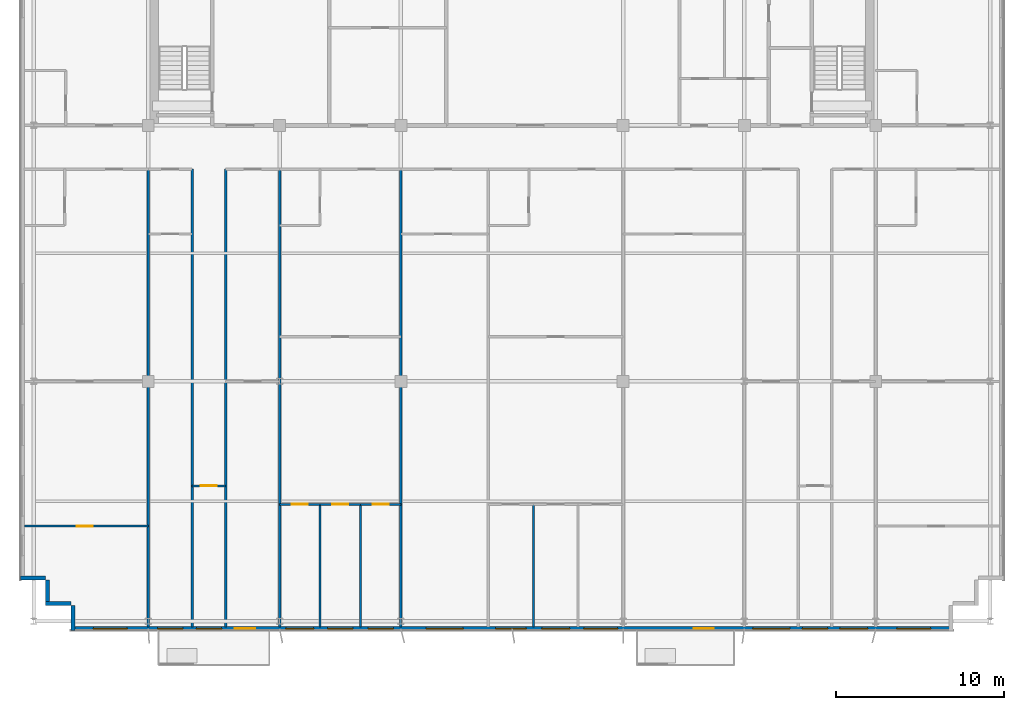
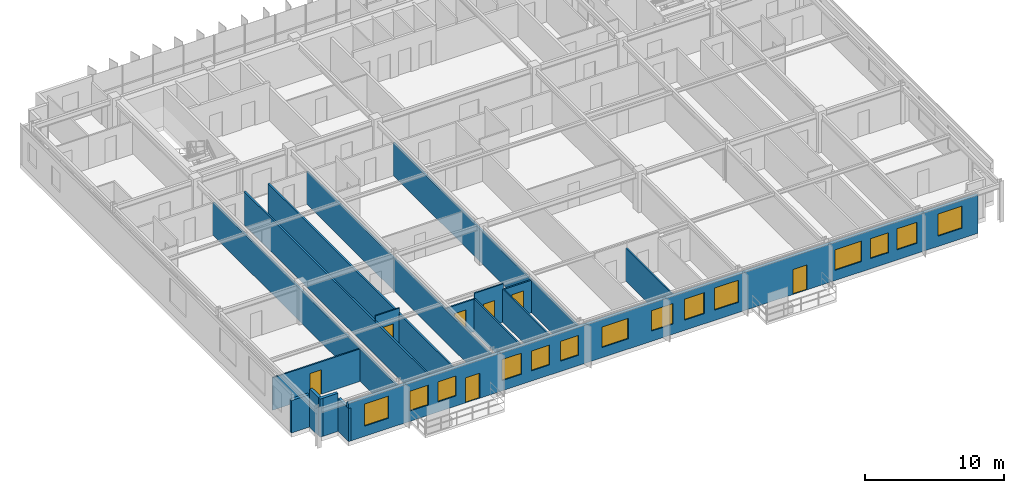
# One storey, part 16 of 23: 18 walls, 14 windows, 7 doors, 21 openings.
"""IFC4 building model written with IfcOpenShell, lengths in metres."""

from ifc_helpers import new_model, si_unit, direction, frame, frame_2d, origin, place, context, subcontext, project, spatial, rectangle, extrude, source, transform, mapped, material, layer, layer_set, type_object, element, fill, save


model = new_model("IFC4")

# Units and contexts
model_context = context("Model", 3, precision=1e-05, world=origin(), true_north=direction((0.0, 1.0)))
body_context = subcontext(model_context, "Body", "Model", "MODEL_VIEW")
ifc_project = project(units=[si_unit("LENGTHUNIT", "METRE"), si_unit("AREAUNIT", "SQUARE_METRE"), si_unit("VOLUMEUNIT", "CUBIC_METRE"), si_unit("PLANEANGLEUNIT", "RADIAN"), si_unit("MASSUNIT", "GRAM", prefix="KILO")], contexts=[model_context])

# Site, building, storey
site_placement = place(None, origin())
site = spatial("IfcSite", under=ifc_project, at=site_placement, CompositionType="ELEMENT")
building_placement = place(site_placement, origin())
building = spatial("IfcBuilding", under=site, at=building_placement, Name="Trelvane Seafront Commons", CompositionType="ELEMENT")
storey_placement = place(building_placement, frame((0.0, 0.0, 204.89990234375)))
storey = spatial("IfcBuildingStorey", under=building, at=storey_placement, Name="L53", CompositionType="ELEMENT", Elevation=204.89990234375)

# Walls
ifc_material_1 = material(Name="Precast concrete C40/50", Category="concrete")
ifc_layer_1 = layer(ifc_material_1, 0.239990234375, Name="ARCH-WALL-EXT240")
ifc_layer_set_1 = layer_set([ifc_layer_1], Name="Precast concrete C40/50")
wall_type_1 = type_object("IfcWallType", Name="ARCH-WALL-EXT240", PredefinedType="SOLIDWALL", material=ifc_layer_set_1)
for number, where, z_axis, x_axis, name in (
    (1, (11.0, 5.02001953125, 0.0), (0.0, 0.0, 1.0), (-1.0, 0.0, 0.0), "EW-L53-01059"),
    (2, (9.6201171875, 4.89990234375, 0.0), (0.0, 0.0, 1.0), (0.0, 1.0, 0.0), "EW-L53-01060"),
):
    element("IfcWall", number, at=place(storey_placement, frame(where, z_axis=z_axis, x_axis=x_axis)), inside=storey, type_object=wall_type_1, Name=name, PredefinedType="SOLIDWALL", context=body_context, shape_type="SweptSolid", body=[
        extrude(rectangle(XDim=1.5, YDim=0.239990234375, at=frame_2d((0.75, 0.0))), origin(), (0.0, 0.0, 1.0), 3.360107421875),
    ])
wall_1_placement = place(storey_placement, frame((9.5, 6.52001953125, 0.0), z_axis=(0.0, 0.0, 1.0), x_axis=(-1.0, 0.0, 0.0)))
element("IfcWall", 3, at=wall_1_placement, inside=storey, type_object=wall_type_1, Name="EW-L53-01061", PredefinedType="SOLIDWALL", context=body_context, shape_type="SweptSolid", body=[
    extrude(rectangle(XDim=1.5, YDim=0.239990234375, at=frame_2d((0.75, 0.0))), origin(), (0.0, 0.0, 1.0), 2.860107421875),
])

# Wall, openings, doors, windows
wall_2_placement = place(storey_placement, frame((63.39990234375, 3.52001953125, 0.0), z_axis=(0.0, 0.0, 1.0), x_axis=(-1.0, 0.0, 0.0)))
wall_2 = element("IfcWall", 4, at=wall_2_placement, inside=storey, type_object=wall_type_1, Name="EW-L53-01076", PredefinedType="SOLIDWALL", context=body_context, shape_type="SweptSolid", body=[
    extrude(rectangle(XDim=52.39990234375, YDim=0.239990234375, at=frame_2d((26.199951171875, 0.0))), origin(), (0.0, 0.0, 1.0), 3.360107421875),
])
opening_1_placement = place(wall_2_placement, frame((1.344970703125, 0.0, 0.89990234375)))
opening_1 = element("IfcOpeningElement", 5, at=opening_1_placement, cuts=wall_2, Name="Opening W06", PredefinedType="OPENING", context=body_context, shape_type="SweptSolid", body=[
    extrude(rectangle(XDim=2.0, YDim=1.949951171875, at=frame_2d((1.0, 0.97509765625))), frame((0.0, 0.1298828125, 0.0), z_axis=(0.0, -1.0, 0.0), x_axis=(1.0, 0.0, 0.0)), (0.0, 0.0, 1.0), 0.260009765625),
])
opening_2_placement = place(wall_2_placement, frame((5.074951171875, 0.0, 0.89990234375)))
opening_2 = element("IfcOpeningElement", 6, at=opening_2_placement, cuts=wall_2, Name="Opening W07", PredefinedType="OPENING", context=body_context, shape_type="SweptSolid", body=[
    extrude(rectangle(XDim=1.64990234375, YDim=1.85009765625, at=frame_2d((0.824951171875, 0.925048828125))), frame((0.0, 0.1298828125, 0.0), z_axis=(0.0, -1.0, 0.0), x_axis=(1.0, 0.0, 0.0)), (0.0, 0.0, 1.0), 0.260009765625),
])
opening_3_placement = place(wall_2_placement, frame((7.449951171875, 0.0, 0.89990234375)))
opening_3 = element("IfcOpeningElement", 7, at=opening_3_placement, cuts=wall_2, Name="Opening W03", PredefinedType="OPENING", context=body_context, shape_type="SweptSolid", body=[
    extrude(rectangle(XDim=1.5, YDim=1.75, at=frame_2d((0.75, 0.875))), frame((0.0, 0.1298828125, 0.0), z_axis=(0.0, -1.0, 0.0), x_axis=(1.0, 0.0, 0.0)), (0.0, 0.0, 1.0), 0.260009765625),
])
opening_4_placement = place(wall_2_placement, frame((9.699951171875, 0.0, 0.89990234375)))
opening_4 = element("IfcOpeningElement", 8, at=opening_4_placement, cuts=wall_2, Name="Opening W02", PredefinedType="OPENING", context=body_context, shape_type="SweptSolid", body=[
    extrude(rectangle(XDim=2.199951171875, YDim=1.800048828125, at=frame_2d((1.10009765625, 0.89990234375))), frame((0.0, 0.1298828125, 0.0), z_axis=(0.0, -1.0, 0.0), x_axis=(1.0, 0.0, 0.0)), (0.0, 0.0, 1.0), 0.260009765625),
])
opening_5_placement = place(wall_2_placement, frame((14.217041015625, 0.0, 0.0)))
opening_5 = element("IfcOpeningElement", 9, at=opening_5_placement, cuts=wall_2, Name="Opening BD-L53-114", PredefinedType="OPENING", context=body_context, shape_type="SweptSolid", body=[
    extrude(rectangle(XDim=1.199951171875, YDim=2.199951171875, at=frame_2d((0.60009765625, 1.10009765625))), frame((0.0, 0.1298828125, 0.0), z_axis=(0.0, -1.0, 0.0), x_axis=(1.0, 0.0, 0.0)), (0.0, 0.0, 1.0), 0.260009765625),
])
opening_6_placement = place(wall_2_placement, frame((19.93408203125, 0.0, 0.89990234375)))
opening_6 = element("IfcOpeningElement", 10, at=opening_6_placement, cuts=wall_2, Name="Opening W06", PredefinedType="OPENING", context=body_context, shape_type="SweptSolid", body=[
    extrude(rectangle(XDim=2.0, YDim=1.949951171875, at=frame_2d((1.0, 0.97509765625))), frame((0.0, 0.1298828125, 0.0), z_axis=(0.0, -1.0, 0.0), x_axis=(1.0, 0.0, 0.0)), (0.0, 0.0, 1.0), 0.260009765625),
])
opening_7_placement = place(wall_2_placement, frame((22.77490234375, 0.0, 0.89990234375)))
opening_7 = element("IfcOpeningElement", 11, at=opening_7_placement, cuts=wall_2, Name="Opening W07", PredefinedType="OPENING", context=body_context, shape_type="SweptSolid", body=[
    extrude(rectangle(XDim=1.64990234375, YDim=1.85009765625, at=frame_2d((0.824951171875, 0.925048828125))), frame((0.0, 0.1298828125, 0.0), z_axis=(0.0, -1.0, 0.0), x_axis=(1.0, 0.0, 0.0)), (0.0, 0.0, 1.0), 0.260009765625),
])
opening_8_placement = place(wall_2_placement, frame((25.366943359375, 0.0, 0.89990234375)))
opening_8 = element("IfcOpeningElement", 12, at=opening_8_placement, cuts=wall_2, Name="Opening W01", PredefinedType="OPENING", context=body_context, shape_type="SweptSolid", body=[
    extrude(rectangle(XDim=1.800048828125, YDim=1.800048828125, at=frame_2d((0.89990234375, 0.89990234375))), frame((0.0, 0.1298828125, 0.0), z_axis=(0.0, -1.0, 0.0), x_axis=(1.0, 0.0, 0.0)), (0.0, 0.0, 1.0), 0.260009765625),
])
opening_9_placement = place(wall_2_placement, frame((29.10009765625, 0.0, 0.89990234375)))
opening_9 = element("IfcOpeningElement", 13, at=opening_9_placement, cuts=wall_2, Name="Opening W02", PredefinedType="OPENING", context=body_context, shape_type="SweptSolid", body=[
    extrude(rectangle(XDim=2.199951171875, YDim=1.800048828125, at=frame_2d((1.10009765625, 0.89990234375))), frame((0.0, 0.1298828125, 0.0), z_axis=(0.0, -1.0, 0.0), x_axis=(1.0, 0.0, 0.0)), (0.0, 0.0, 1.0), 0.260009765625),
])
opening_10_placement = place(wall_2_placement, frame((33.25, 0.0, 0.89990234375)))
opening_10 = element("IfcOpeningElement", 14, at=opening_10_placement, cuts=wall_2, Name="Opening W03", PredefinedType="OPENING", context=body_context, shape_type="SweptSolid", body=[
    extrude(rectangle(XDim=1.5, YDim=1.75, at=frame_2d((0.75, 0.875))), frame((0.0, 0.1298828125, 0.0), z_axis=(0.0, -1.0, 0.0), x_axis=(1.0, 0.0, 0.0)), (0.0, 0.0, 1.0), 0.260009765625),
])
opening_11_placement = place(wall_2_placement, frame((35.64990234375, 0.0, 0.89990234375)))
opening_11 = element("IfcOpeningElement", 15, at=opening_11_placement, cuts=wall_2, Name="Opening W03", PredefinedType="OPENING", context=body_context, shape_type="SweptSolid", body=[
    extrude(rectangle(XDim=1.5, YDim=1.75, at=frame_2d((0.75, 0.875))), frame((0.0, 0.1298828125, 0.0), z_axis=(0.0, -1.0, 0.0), x_axis=(1.0, 0.0, 0.0)), (0.0, 0.0, 1.0), 0.260009765625),
])
opening_12_placement = place(wall_2_placement, frame((37.97509765625, 0.0, 0.89990234375)))
opening_12 = element("IfcOpeningElement", 16, at=opening_12_placement, cuts=wall_2, Name="Opening W07", PredefinedType="OPENING", context=body_context, shape_type="SweptSolid", body=[
    extrude(rectangle(XDim=1.64990234375, YDim=1.85009765625, at=frame_2d((0.824951171875, 0.925048828125))), frame((0.0, 0.1298828125, 0.0), z_axis=(0.0, -1.0, 0.0), x_axis=(1.0, 0.0, 0.0)), (0.0, 0.0, 1.0), 0.260009765625),
])
opening_13_placement = place(wall_2_placement, frame((41.4560546875, 0.0, 0.0)))
opening_13 = element("IfcOpeningElement", 17, at=opening_13_placement, cuts=wall_2, Name="Opening BD-L53-115", PredefinedType="OPENING", context=body_context, shape_type="SweptSolid", body=[
    extrude(rectangle(XDim=1.199951171875, YDim=2.199951171875, at=frame_2d((0.60009765625, 1.10009765625))), frame((0.0, 0.1298828125, 0.0), z_axis=(0.0, -1.0, 0.0), x_axis=(1.0, 0.0, 0.0)), (0.0, 0.0, 1.0), 0.260009765625),
])
opening_14_placement = place(wall_2_placement, frame((43.449951171875, 0.0, 0.89990234375)))
opening_14 = element("IfcOpeningElement", 18, at=opening_14_placement, cuts=wall_2, Name="Opening W03", PredefinedType="OPENING", context=body_context, shape_type="SweptSolid", body=[
    extrude(rectangle(XDim=1.5, YDim=1.75, at=frame_2d((0.75, 0.875))), frame((0.0, 0.1298828125, 0.0), z_axis=(0.0, -1.0, 0.0), x_axis=(1.0, 0.0, 0.0)), (0.0, 0.0, 1.0), 0.260009765625),
])
opening_15_placement = place(wall_2_placement, frame((45.75, 0.0, 0.89990234375)))
opening_15 = element("IfcOpeningElement", 19, at=opening_15_placement, cuts=wall_2, Name="Opening W03", PredefinedType="OPENING", context=body_context, shape_type="SweptSolid", body=[
    extrude(rectangle(XDim=1.5, YDim=1.75, at=frame_2d((0.75, 0.875))), frame((0.0, 0.1298828125, 0.0), z_axis=(0.0, -1.0, 0.0), x_axis=(1.0, 0.0, 0.0)), (0.0, 0.0, 1.0), 0.260009765625),
])
opening_16_placement = place(wall_2_placement, frame((49.054931640625, 0.0, 0.89990234375)))
opening_16 = element("IfcOpeningElement", 20, at=opening_16_placement, cuts=wall_2, Name="Opening W06", PredefinedType="OPENING", context=body_context, shape_type="SweptSolid", body=[
    extrude(rectangle(XDim=2.0, YDim=1.949951171875, at=frame_2d((1.0, 0.97509765625))), frame((0.0, 0.1298828125, 0.0), z_axis=(0.0, -1.0, 0.0), x_axis=(1.0, 0.0, 0.0)), (0.0, 0.0, 1.0), 0.260009765625),
])
ifc_material_2 = material(Name="Powder-coated aluminium frame", Category="aluminium")
door_type_1 = type_object("IfcDoorType", Name="ARCH-DR-BAL1200", OperationType="NOTDEFINED", PredefinedType="DOOR", material=ifc_material_2)
shared_shape_1 = source(origin(), body_context, "Body", "SweptSolid", [
    extrude(rectangle(XDim=1.199951171875, YDim=2.199951171875, at=frame_2d((0.60009765625, 1.10009765625))), frame((0.0, 0.02490234375, 0.0), z_axis=(0.0, -1.0, 0.0), x_axis=(1.0, 0.0, 0.0)), (0.0, 0.0, 1.0), 0.050048828125),
])
door_1_placement = place(opening_5_placement, origin())
door_1 = element("IfcDoor", 21, at=door_1_placement, inside=storey, type_object=door_type_1, Name="L53 Balcony Terrace Access Door", OperationType="SINGLE_SWING_LEFT", OverallHeight=2.199951171875, OverallWidth=1.199951171875, PredefinedType="DOOR", context=body_context, shape_type="MappedRepresentation", body=[
    mapped(shared_shape_1, transform((0.0, 0.0, 0.0), x_axis=(1.0, 0.0, 0.0), y_axis=(0.0, 1.0, 0.0), z_axis=(0.0, 0.0, 1.0), scale=1.0)),
])
fill(opening_5, door_1)
door_2_placement = place(opening_13_placement, origin())
door_2 = element("IfcDoor", 22, at=door_2_placement, inside=storey, type_object=door_type_1, Name="L53 Balcony Terrace Access Door", OperationType="SINGLE_SWING_LEFT", OverallHeight=2.199951171875, OverallWidth=1.199951171875, PredefinedType="DOOR", context=body_context, shape_type="MappedRepresentation", body=[
    mapped(shared_shape_1, transform((0.0, 0.0, 0.0), x_axis=(1.0, 0.0, 0.0), y_axis=(0.0, 1.0, 0.0), z_axis=(0.0, 0.0, 1.0), scale=1.0)),
])
fill(opening_13, door_2)
ifc_material_3 = material(Name="Low-E coastal double glazing", Category="glass")
window_type_1 = type_object("IfcWindowType", Name="ARCH-WIN-W02", PartitioningType="SINGLE_PANEL", PredefinedType="WINDOW", material=ifc_material_3)
shared_shape_2 = source(origin(), body_context, "Body", "SweptSolid", [
    extrude(rectangle(XDim=2.199951171875, YDim=1.800048828125, at=frame_2d((1.10009765625, 0.89990234375))), frame((0.0, 0.030029296875, 0.0), z_axis=(0.0, -1.0, 0.0), x_axis=(1.0, 0.0, 0.0)), (0.0, 0.0, 1.0), 0.06005859375),
])
window_1_placement = place(opening_4_placement, origin())
window_1 = element("IfcWindow", 23, at=window_1_placement, inside=storey, type_object=window_type_1, Name="WIN-L53-01289", OverallHeight=1.800048828125, OverallWidth=2.199951171875, PartitioningType="SINGLE_PANEL", PredefinedType="WINDOW", context=body_context, shape_type="MappedRepresentation", body=[
    mapped(shared_shape_2, transform((0.0, 0.0, 0.0), x_axis=(1.0, 0.0, 0.0), y_axis=(0.0, 1.0, 0.0), z_axis=(0.0, 0.0, 1.0), scale=1.0)),
])
fill(opening_4, window_1)
window_2_placement = place(opening_9_placement, origin())
window_2 = element("IfcWindow", 24, at=window_2_placement, inside=storey, type_object=window_type_1, Name="WIN-L53-01293", OverallHeight=1.800048828125, OverallWidth=2.199951171875, PartitioningType="SINGLE_PANEL", PredefinedType="WINDOW", context=body_context, shape_type="MappedRepresentation", body=[
    mapped(shared_shape_2, transform((0.0, 0.0, 0.0), x_axis=(1.0, 0.0, 0.0), y_axis=(0.0, 1.0, 0.0), z_axis=(0.0, 0.0, 1.0), scale=1.0)),
])
fill(opening_9, window_2)
window_type_2 = type_object("IfcWindowType", Name="ARCH-WIN-W03", PartitioningType="SINGLE_PANEL", PredefinedType="WINDOW", material=ifc_material_3)
shared_shape_3 = source(origin(), body_context, "Body", "SweptSolid", [
    extrude(rectangle(XDim=1.5, YDim=1.75, at=frame_2d((0.75, 0.875))), frame((0.0, 0.030029296875, 0.0), z_axis=(0.0, -1.0, 0.0), x_axis=(1.0, 0.0, 0.0)), (0.0, 0.0, 1.0), 0.06005859375),
])
window_3_placement = place(opening_3_placement, origin())
window_3 = element("IfcWindow", 25, at=window_3_placement, inside=storey, type_object=window_type_2, Name="WIN-L53-01288", OverallHeight=1.75, OverallWidth=1.5, PartitioningType="SINGLE_PANEL", PredefinedType="WINDOW", context=body_context, shape_type="MappedRepresentation", body=[
    mapped(shared_shape_3, transform((0.0, 0.0, 0.0), x_axis=(1.0, 0.0, 0.0), y_axis=(0.0, 1.0, 0.0), z_axis=(0.0, 0.0, 1.0), scale=1.0)),
])
fill(opening_3, window_3)
window_4_placement = place(opening_10_placement, origin())
window_4 = element("IfcWindow", 26, at=window_4_placement, inside=storey, type_object=window_type_2, Name="WIN-L53-01294", OverallHeight=1.75, OverallWidth=1.5, PartitioningType="SINGLE_PANEL", PredefinedType="WINDOW", context=body_context, shape_type="MappedRepresentation", body=[
    mapped(shared_shape_3, transform((0.0, 0.0, 0.0), x_axis=(1.0, 0.0, 0.0), y_axis=(0.0, 1.0, 0.0), z_axis=(0.0, 0.0, 1.0), scale=1.0)),
])
fill(opening_10, window_4)
window_5_placement = place(opening_11_placement, origin())
window_5 = element("IfcWindow", 27, at=window_5_placement, inside=storey, type_object=window_type_2, Name="WIN-L53-01295", OverallHeight=1.75, OverallWidth=1.5, PartitioningType="SINGLE_PANEL", PredefinedType="WINDOW", context=body_context, shape_type="MappedRepresentation", body=[
    mapped(shared_shape_3, transform((0.0, 0.0, 0.0), x_axis=(1.0, 0.0, 0.0), y_axis=(0.0, 1.0, 0.0), z_axis=(0.0, 0.0, 1.0), scale=1.0)),
])
fill(opening_11, window_5)
window_6_placement = place(opening_14_placement, origin())
window_6 = element("IfcWindow", 28, at=window_6_placement, inside=storey, type_object=window_type_2, Name="WIN-L53-01297", OverallHeight=1.75, OverallWidth=1.5, PartitioningType="SINGLE_PANEL", PredefinedType="WINDOW", context=body_context, shape_type="MappedRepresentation", body=[
    mapped(shared_shape_3, transform((0.0, 0.0, 0.0), x_axis=(1.0, 0.0, 0.0), y_axis=(0.0, 1.0, 0.0), z_axis=(0.0, 0.0, 1.0), scale=1.0)),
])
fill(opening_14, window_6)
window_7_placement = place(opening_15_placement, origin())
window_7 = element("IfcWindow", 29, at=window_7_placement, inside=storey, type_object=window_type_2, Name="WIN-L53-01298", OverallHeight=1.75, OverallWidth=1.5, PartitioningType="SINGLE_PANEL", PredefinedType="WINDOW", context=body_context, shape_type="MappedRepresentation", body=[
    mapped(shared_shape_3, transform((0.0, 0.0, 0.0), x_axis=(1.0, 0.0, 0.0), y_axis=(0.0, 1.0, 0.0), z_axis=(0.0, 0.0, 1.0), scale=1.0)),
])
fill(opening_15, window_7)
window_type_3 = type_object("IfcWindowType", Name="ARCH-WIN-W06", PartitioningType="SINGLE_PANEL", PredefinedType="WINDOW", material=ifc_material_3)
shared_shape_4 = source(origin(), body_context, "Body", "SweptSolid", [
    extrude(rectangle(XDim=2.0, YDim=1.949951171875, at=frame_2d((1.0, 0.97509765625))), frame((0.0, 0.030029296875, 0.0), z_axis=(0.0, -1.0, 0.0), x_axis=(1.0, 0.0, 0.0)), (0.0, 0.0, 1.0), 0.06005859375),
])
window_8_placement = place(opening_1_placement, origin())
window_8 = element("IfcWindow", 30, at=window_8_placement, inside=storey, type_object=window_type_3, Name="WIN-L53-01286", OverallHeight=1.949951171875, OverallWidth=2.0, PartitioningType="SINGLE_PANEL", PredefinedType="WINDOW", context=body_context, shape_type="MappedRepresentation", body=[
    mapped(shared_shape_4, transform((0.0, 0.0, 0.0), x_axis=(1.0, 0.0, 0.0), y_axis=(0.0, 1.0, 0.0), z_axis=(0.0, 0.0, 1.0), scale=1.0)),
])
fill(opening_1, window_8)
window_9_placement = place(opening_6_placement, origin())
window_9 = element("IfcWindow", 31, at=window_9_placement, inside=storey, type_object=window_type_3, Name="WIN-L53-01290", OverallHeight=1.949951171875, OverallWidth=2.0, PartitioningType="SINGLE_PANEL", PredefinedType="WINDOW", context=body_context, shape_type="MappedRepresentation", body=[
    mapped(shared_shape_4, transform((0.0, 0.0, 0.0), x_axis=(1.0, 0.0, 0.0), y_axis=(0.0, 1.0, 0.0), z_axis=(0.0, 0.0, 1.0), scale=1.0)),
])
fill(opening_6, window_9)
window_10_placement = place(opening_16_placement, origin())
window_10 = element("IfcWindow", 32, at=window_10_placement, inside=storey, type_object=window_type_3, Name="WIN-L53-01299", OverallHeight=1.949951171875, OverallWidth=2.0, PartitioningType="SINGLE_PANEL", PredefinedType="WINDOW", context=body_context, shape_type="MappedRepresentation", body=[
    mapped(shared_shape_4, transform((0.0, 0.0, 0.0), x_axis=(1.0, 0.0, 0.0), y_axis=(0.0, 1.0, 0.0), z_axis=(0.0, 0.0, 1.0), scale=1.0)),
])
fill(opening_16, window_10)
window_type_4 = type_object("IfcWindowType", Name="ARCH-WIN-W01", PartitioningType="SINGLE_PANEL", PredefinedType="WINDOW", material=ifc_material_3)
shared_shape_5 = source(origin(), body_context, "Body", "SweptSolid", [
    extrude(rectangle(XDim=1.800048828125, YDim=1.800048828125, at=frame_2d((0.89990234375, 0.89990234375))), frame((0.0, 0.030029296875, 0.0), z_axis=(0.0, -1.0, 0.0), x_axis=(1.0, 0.0, 0.0)), (0.0, 0.0, 1.0), 0.06005859375),
])
window_11_placement = place(opening_8_placement, origin())
window_11 = element("IfcWindow", 33, at=window_11_placement, inside=storey, type_object=window_type_4, Name="WIN-L53-01292", OverallHeight=1.800048828125, OverallWidth=1.800048828125, PartitioningType="SINGLE_PANEL", PredefinedType="WINDOW", context=body_context, shape_type="MappedRepresentation", body=[
    mapped(shared_shape_5, transform((0.0, 0.0, 0.0), x_axis=(1.0, 0.0, 0.0), y_axis=(0.0, 1.0, 0.0), z_axis=(0.0, 0.0, 1.0), scale=1.0)),
])
fill(opening_8, window_11)
window_type_5 = type_object("IfcWindowType", Name="ARCH-WIN-W07", PartitioningType="SINGLE_PANEL", PredefinedType="WINDOW", material=ifc_material_3)
shared_shape_6 = source(origin(), body_context, "Body", "SweptSolid", [
    extrude(rectangle(XDim=1.64990234375, YDim=1.85009765625, at=frame_2d((0.824951171875, 0.925048828125))), frame((0.0, 0.030029296875, 0.0), z_axis=(0.0, -1.0, 0.0), x_axis=(1.0, 0.0, 0.0)), (0.0, 0.0, 1.0), 0.06005859375),
])
window_12_placement = place(opening_2_placement, origin())
window_12 = element("IfcWindow", 34, at=window_12_placement, inside=storey, type_object=window_type_5, Name="WIN-L53-01287", OverallHeight=1.85009765625, OverallWidth=1.64990234375, PartitioningType="SINGLE_PANEL", PredefinedType="WINDOW", context=body_context, shape_type="MappedRepresentation", body=[
    mapped(shared_shape_6, transform((0.0, 0.0, 0.0), x_axis=(1.0, 0.0, 0.0), y_axis=(0.0, 1.0, 0.0), z_axis=(0.0, 0.0, 1.0), scale=1.0)),
])
fill(opening_2, window_12)
window_13_placement = place(opening_7_placement, origin())
window_13 = element("IfcWindow", 35, at=window_13_placement, inside=storey, type_object=window_type_5, Name="WIN-L53-01291", OverallHeight=1.85009765625, OverallWidth=1.64990234375, PartitioningType="SINGLE_PANEL", PredefinedType="WINDOW", context=body_context, shape_type="MappedRepresentation", body=[
    mapped(shared_shape_6, transform((0.0, 0.0, 0.0), x_axis=(1.0, 0.0, 0.0), y_axis=(0.0, 1.0, 0.0), z_axis=(0.0, 0.0, 1.0), scale=1.0)),
])
fill(opening_7, window_13)
window_14_placement = place(opening_12_placement, origin())
window_14 = element("IfcWindow", 36, at=window_14_placement, inside=storey, type_object=window_type_5, Name="WIN-L53-01296", OverallHeight=1.85009765625, OverallWidth=1.64990234375, PartitioningType="SINGLE_PANEL", PredefinedType="WINDOW", context=body_context, shape_type="MappedRepresentation", body=[
    mapped(shared_shape_6, transform((0.0, 0.0, 0.0), x_axis=(1.0, 0.0, 0.0), y_axis=(0.0, 1.0, 0.0), z_axis=(0.0, 0.0, 1.0), scale=1.0)),
])
fill(opening_12, window_14)

# Wall
wall_3_placement = place(storey_placement, frame((11.1201171875, 3.39990234375, 0.0), z_axis=(0.0, 0.0, 1.0), x_axis=(0.0, 1.0, 0.0)))
element("IfcWall", 37, at=wall_3_placement, inside=storey, type_object=wall_type_1, Name="EW-L53-01077", PredefinedType="SOLIDWALL", context=body_context, shape_type="SweptSolid", body=[
    extrude(rectangle(XDim=1.5, YDim=0.239990234375, at=frame_2d((0.75, 0.0))), origin(), (0.0, 0.0, 1.0), 2.91015625),
])

# Wall, opening, door
ifc_material_4 = material(Name="Gypsum Drywall Acoustic Partition")
ifc_layer_2 = layer(ifc_material_4, 0.1201171875, Name="ARCH-WALL-PART120")
ifc_layer_set_2 = layer_set([ifc_layer_2], Name="Gypsum Drywall Acoustic Partition")
wall_type_2 = type_object("IfcWallType", Name="ARCH-WALL-PART120", PredefinedType="PARTITIONING", material=ifc_layer_set_2)
wall_4_placement = place(storey_placement, frame((8.239990234375, 9.60009765625, 0.0), z_axis=(0.0, 0.0, 1.0), x_axis=(1.0, 0.0, 0.0)))
wall_4 = element("IfcWall", 38, at=wall_4_placement, inside=storey, type_object=wall_type_2, Name="W-L53-U1-YM-1-062", PredefinedType="PARTITIONING", context=body_context, shape_type="SweptSolid", body=[
    extrude(rectangle(XDim=7.360107421875, YDim=0.1201171875, at=frame_2d((3.68017578125, 0.0))), origin(), (0.0, 0.0, 1.0), 2.860107421875),
])
opening_17_placement = place(wall_4_placement, frame((3.114013671875, 0.0, 0.0)))
opening_17 = element("IfcOpeningElement", 39, at=opening_17_placement, cuts=wall_4, Name="Opening D-L53-34", PredefinedType="OPENING", context=body_context, shape_type="SweptSolid", body=[
    extrude(rectangle(XDim=0.949951171875, YDim=2.14990234375, at=frame_2d((0.47509765625, 1.074951171875))), frame((0.0, 0.070068359375, 0.0), z_axis=(0.0, -1.0, 0.0), x_axis=(1.0, 0.0, 0.0)), (0.0, 0.0, 1.0), 0.14013671875),
])
ifc_material_5 = material(Name="Acoustic timber door leaf", Category="wood")
door_type_2 = type_object("IfcDoorType", Name="ARCH-DR-INT950", OperationType="NOTDEFINED", PredefinedType="DOOR", material=ifc_material_5)
shared_shape_7 = source(origin(), body_context, "Body", "SweptSolid", [
    extrude(rectangle(XDim=0.949951171875, YDim=2.14990234375, at=frame_2d((0.47509765625, 1.074951171875))), frame((0.0, 0.02490234375, 0.0), z_axis=(0.0, -1.0, 0.0), x_axis=(1.0, 0.0, 0.0)), (0.0, 0.0, 1.0), 0.050048828125),
])
door_3_placement = place(opening_17_placement, origin())
door_3 = element("IfcDoor", 40, at=door_3_placement, inside=storey, type_object=door_type_2, Name="L53 Door 34", OperationType="SINGLE_SWING_RIGHT", OverallHeight=2.14990234375, OverallWidth=0.949951171875, PredefinedType="DOOR", context=body_context, shape_type="MappedRepresentation", body=[
    mapped(shared_shape_7, transform((0.0, 0.0, 0.0), x_axis=(1.0, 0.0, 0.0), y_axis=(0.0, 1.0, 0.0), z_axis=(0.0, 0.0, 1.0), scale=1.0)),
])
fill(opening_17, door_3)

wall_5_placement = place(storey_placement, frame((18.199951171875, 12.0, 0.0), z_axis=(0.0, 0.0, 1.0), x_axis=(1.0, 0.0, 0.0)))
wall_5 = element("IfcWall", 41, at=wall_5_placement, inside=storey, type_object=wall_type_2, Name="W-L53-ARM-END-3-067", PredefinedType="PARTITIONING", context=body_context, shape_type="SweptSolid", body=[
    extrude(rectangle(XDim=2.0, YDim=0.1201171875, at=frame_2d((1.0, 0.0))), origin(), (0.0, 0.0, 1.0), 3.360107421875),
])
opening_18_placement = place(wall_5_placement, frame((0.52001953125, 0.0, 0.0)))
opening_18 = element("IfcOpeningElement", 42, at=opening_18_placement, cuts=wall_5, Name="Opening D-L53-37", PredefinedType="OPENING", context=body_context, shape_type="SweptSolid", body=[
    extrude(rectangle(XDim=0.949951171875, YDim=2.14990234375, at=frame_2d((0.47509765625, 1.074951171875))), frame((0.0, 0.070068359375, 0.0), z_axis=(0.0, -1.0, 0.0), x_axis=(1.0, 0.0, 0.0)), (0.0, 0.0, 1.0), 0.14013671875),
])
door_4_placement = place(opening_18_placement, origin())
door_4 = element("IfcDoor", 43, at=door_4_placement, inside=storey, type_object=door_type_2, Name="L53 Door 37", OperationType="SINGLE_SWING_LEFT", OverallHeight=2.14990234375, OverallWidth=0.949951171875, PredefinedType="DOOR", context=body_context, shape_type="MappedRepresentation", body=[
    mapped(shared_shape_7, transform((0.0, 0.0, 0.0), x_axis=(1.0, 0.0, 0.0), y_axis=(0.0, 1.0, 0.0), z_axis=(0.0, 0.0, 1.0), scale=1.0)),
])
fill(opening_18, door_4)

wall_6_placement = place(storey_placement, frame((23.39990234375, 10.89990234375, 0.0), z_axis=(0.0, 0.0, 1.0), x_axis=(1.0, 0.0, 0.0)))
wall_6 = element("IfcWall", 44, at=wall_6_placement, inside=storey, type_object=wall_type_2, Name="W-L53-U5-YM-1-074", PredefinedType="PARTITIONING", context=body_context, shape_type="SweptSolid", body=[
    extrude(rectangle(XDim=2.400146484375, YDim=0.1201171875, at=frame_2d((1.2001953125, 0.0))), origin(), (0.0, 0.0, 1.0), 2.860107421875),
])
opening_19_placement = place(wall_6_placement, frame((0.72509765625, 0.0, 0.0)))
opening_19 = element("IfcOpeningElement", 45, at=opening_19_placement, cuts=wall_6, Name="Opening D-L53-43", PredefinedType="OPENING", context=body_context, shape_type="SweptSolid", body=[
    extrude(rectangle(XDim=0.949951171875, YDim=2.14990234375, at=frame_2d((0.47509765625, 1.074951171875))), frame((0.0, 0.070068359375, 0.0), z_axis=(0.0, -1.0, 0.0), x_axis=(1.0, 0.0, 0.0)), (0.0, 0.0, 1.0), 0.14013671875),
])
door_5_placement = place(opening_19_placement, origin())
door_5 = element("IfcDoor", 46, at=door_5_placement, inside=storey, type_object=door_type_2, Name="L53 Door 43", OperationType="SINGLE_SWING_LEFT", OverallHeight=2.14990234375, OverallWidth=0.949951171875, PredefinedType="DOOR", context=body_context, shape_type="MappedRepresentation", body=[
    mapped(shared_shape_7, transform((0.0, 0.0, 0.0), x_axis=(1.0, 0.0, 0.0), y_axis=(0.0, 1.0, 0.0), z_axis=(0.0, 0.0, 1.0), scale=1.0)),
])
fill(opening_19, door_5)

wall_7_placement = place(storey_placement, frame((25.800048828125, 10.89990234375, 0.0), z_axis=(0.0, 0.0, 1.0), x_axis=(1.0, 0.0, 0.0)))
wall_7 = element("IfcWall", 47, at=wall_7_placement, inside=storey, type_object=wall_type_2, Name="W-L53-U5-YM-2-075", PredefinedType="PARTITIONING", context=body_context, shape_type="SweptSolid", body=[
    extrude(rectangle(XDim=2.39990234375, YDim=0.1201171875, at=frame_2d((1.199951171875, 0.0))), origin(), (0.0, 0.0, 1.0), 3.360107421875),
])
opening_20_placement = place(wall_7_placement, frame((0.72509765625, 0.0, 0.0)))
opening_20 = element("IfcOpeningElement", 48, at=opening_20_placement, cuts=wall_7, Name="Opening D-L53-44", PredefinedType="OPENING", context=body_context, shape_type="SweptSolid", body=[
    extrude(rectangle(XDim=0.949951171875, YDim=2.14990234375, at=frame_2d((0.47509765625, 1.074951171875))), frame((0.0, 0.070068359375, 0.0), z_axis=(0.0, -1.0, 0.0), x_axis=(1.0, 0.0, 0.0)), (0.0, 0.0, 1.0), 0.14013671875),
])
door_6_placement = place(opening_20_placement, origin())
door_6 = element("IfcDoor", 49, at=door_6_placement, inside=storey, type_object=door_type_2, Name="L53 Door 44", OperationType="SINGLE_SWING_RIGHT", OverallHeight=2.14990234375, OverallWidth=0.949951171875, PredefinedType="DOOR", context=body_context, shape_type="MappedRepresentation", body=[
    mapped(shared_shape_7, transform((0.0, 0.0, 0.0), x_axis=(1.0, 0.0, 0.0), y_axis=(0.0, 1.0, 0.0), z_axis=(0.0, 0.0, 1.0), scale=1.0)),
])
fill(opening_20, door_6)

# Wall
wall_8_placement = place(storey_placement, frame((25.800048828125, 3.625, 0.0), z_axis=(0.0, 0.0, 1.0), x_axis=(0.0, 1.0, 0.0)))
element("IfcWall", 50, at=wall_8_placement, inside=storey, type_object=wall_type_2, Name="W-L53-U5-BDV-1-076", PredefinedType="PARTITIONING", context=body_context, shape_type="SweptSolid", body=[
    extrude(rectangle(XDim=7.27490234375, YDim=0.1201171875, at=frame_2d((3.637451171875, 0.0))), origin(), (0.0, 0.0, 1.0), 2.91015625),
])

# Wall, opening, door
wall_9_placement = place(storey_placement, frame((28.199951171875, 10.89990234375, 0.0), z_axis=(0.0, 0.0, 1.0), x_axis=(1.0, 0.0, 0.0)))
wall_9 = element("IfcWall", 51, at=wall_9_placement, inside=storey, type_object=wall_type_2, Name="W-L53-U5-YM-3-077", PredefinedType="PARTITIONING", context=body_context, shape_type="SweptSolid", body=[
    extrude(rectangle(XDim=2.400146484375, YDim=0.1201171875, at=frame_2d((1.2001953125, 0.0))), origin(), (0.0, 0.0, 1.0), 2.860107421875),
])
opening_21_placement = place(wall_9_placement, frame((0.72509765625, 0.0, 0.0)))
opening_21 = element("IfcOpeningElement", 52, at=opening_21_placement, cuts=wall_9, Name="Opening D-L53-45", PredefinedType="OPENING", context=body_context, shape_type="SweptSolid", body=[
    extrude(rectangle(XDim=0.949951171875, YDim=2.14990234375, at=frame_2d((0.47509765625, 1.074951171875))), frame((0.0, 0.070068359375, 0.0), z_axis=(0.0, -1.0, 0.0), x_axis=(1.0, 0.0, 0.0)), (0.0, 0.0, 1.0), 0.14013671875),
])
door_7_placement = place(opening_21_placement, origin())
door_7 = element("IfcDoor", 53, at=door_7_placement, inside=storey, type_object=door_type_2, Name="L53 Door 45", OperationType="SINGLE_SWING_LEFT", OverallHeight=2.14990234375, OverallWidth=0.949951171875, PredefinedType="DOOR", context=body_context, shape_type="MappedRepresentation", body=[
    mapped(shared_shape_7, transform((0.0, 0.0, 0.0), x_axis=(1.0, 0.0, 0.0), y_axis=(0.0, 1.0, 0.0), z_axis=(0.0, 0.0, 1.0), scale=1.0)),
])
fill(opening_21, door_7)

# Walls
for number, where, z_axis, x_axis, name in (
    (54, (28.199951171875, 3.625, 0.0), (0.0, 0.0, 1.0), (0.0, 1.0, 0.0), "W-L53-U5-BDV-2-078"),
    (55, (38.467041015625, 3.625, 0.0), (0.0, 0.0, 1.0), (0.0, 1.0, 0.0), "W-L53-U7-BDV-1-087"),
):
    element("IfcWall", number, at=place(storey_placement, frame(where, z_axis=z_axis, x_axis=x_axis)), inside=storey, type_object=wall_type_2, Name=name, PredefinedType="PARTITIONING", context=body_context, shape_type="SweptSolid", body=[
        extrude(rectangle(XDim=7.27490234375, YDim=0.1201171875, at=frame_2d((3.637451171875, 0.0))), origin(), (0.0, 0.0, 1.0), 2.91015625),
    ])
ifc_layer_3 = layer(ifc_material_4, 0.14990234375, Name="ARCH-WALL-PART150")
ifc_layer_set_3 = layer_set([ifc_layer_3], Name="Gypsum Drywall Acoustic Partition")
wall_type_3 = type_object("IfcWallType", Name="ARCH-WALL-PART150", PredefinedType="PARTITIONING", material=ifc_layer_set_3)
for number, where, z_axis, x_axis, name in (
    (56, (15.60009765625, 3.625, 0.0), (0.0, 0.0, 1.0), (0.0, 1.0, 0.0), "W-L53-PW-1-051"),
    (57, (23.39990234375, 3.625, 0.0), (0.0, 0.0, 1.0), (0.0, 1.0, 0.0), "W-L53-PW-4-052"),
    (58, (30.60009765625, 3.625, 0.0), (0.0, 0.0, 1.0), (0.0, 1.0, 0.0), "W-L53-PW-5-053"),
):
    element("IfcWall", number, at=place(storey_placement, frame(where, z_axis=z_axis, x_axis=x_axis)), inside=storey, type_object=wall_type_3, Name=name, PredefinedType="PARTITIONING", context=body_context, shape_type="SweptSolid", body=[
        extrude(rectangle(XDim=27.175048828125, YDim=0.14990234375, at=frame_2d((13.58740234375, 0.0))), origin(), (0.0, 0.0, 1.0), 2.860107421875),
    ])
for number, where, z_axis, x_axis, name in (
    (59, (18.199951171875, 3.625, 0.0), (0.0, 0.0, 1.0), (0.0, 1.0, 0.0), "W-L53-ARM-W-3-065"),
    (60, (20.199951171875, 3.625, 0.0), (0.0, 0.0, 1.0), (0.0, 1.0, 0.0), "W-L53-ARM-E-3-066"),
):
    element("IfcWall", number, at=place(storey_placement, frame(where, z_axis=z_axis, x_axis=x_axis)), inside=storey, type_object=wall_type_3, Name=name, PredefinedType="PARTITIONING", context=body_context, shape_type="SweptSolid", body=[
        extrude(rectangle(XDim=27.175048828125, YDim=0.14990234375, at=frame_2d((13.58740234375, 0.0))), origin(), (0.0, 0.0, 1.0), 2.91015625),
    ])

save(model, "model.ifc")
